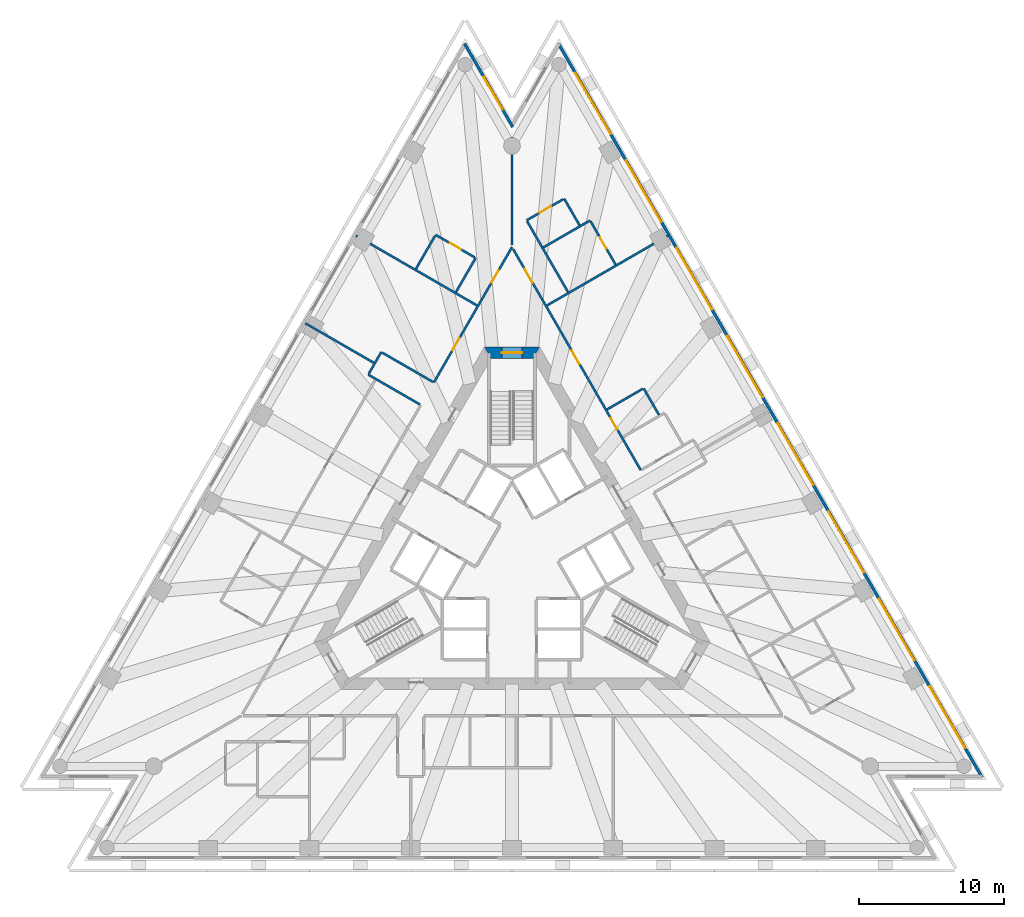
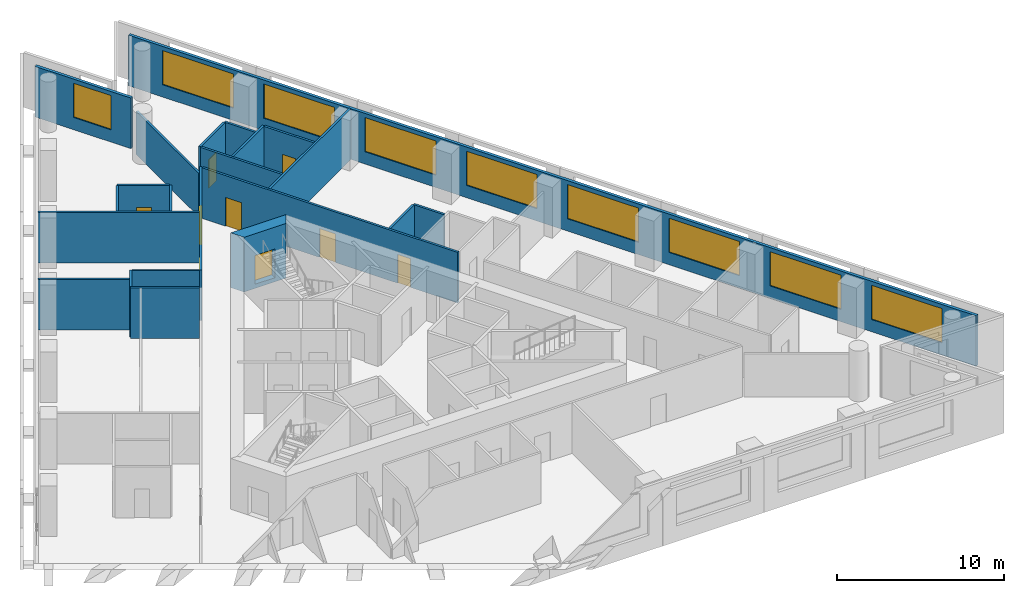
# One storey, part 7 of 10: 22 walls, 9 doors, 9 windows, 18 openings.
"""IFC4 building model written with IfcOpenShell, lengths in metres."""

from ifc_helpers import new_model, si_unit, direction, frame, frame_2d, origin, place, context, subcontext, project, spatial, polyline, rectangle, outline, extrude, material, layer, layer_set, layer_usage, type_object, element, fill, save


model = new_model("IFC4")

# Units and contexts
model_context = context("Model", 3, precision=1e-05, world=origin(), true_north=direction((0.0, 1.0)))
body_context = subcontext(model_context, "Body", "Model", "MODEL_VIEW")
ifc_project = project(units=[si_unit("LENGTHUNIT", "METRE"), si_unit("AREAUNIT", "SQUARE_METRE"), si_unit("VOLUMEUNIT", "CUBIC_METRE"), si_unit("PLANEANGLEUNIT", "RADIAN"), si_unit("MASSUNIT", "GRAM", prefix="KILO")], contexts=[model_context])

# Site, building, storey
site_placement = place(None, origin())
site = spatial("IfcSite", under=ifc_project, at=site_placement, CompositionType="ELEMENT")
building_placement = place(site_placement, origin())
building = spatial("IfcBuilding", under=site, at=building_placement, Name="Triada Interchange Tower", CompositionType="ELEMENT")
storey_placement = place(building_placement, frame((0.0, 0.0, 104.300048828125)))
storey = spatial("IfcBuildingStorey", under=building, at=storey_placement, Name="L23", CompositionType="ELEMENT", Elevation=104.300048828125)

# Wall, opening, door
ifc_material_1 = material(Name="Concrete C60/75", Category="concrete")
ifc_layer_1 = layer(ifc_material_1, 0.800048828125)
ifc_layer_set_1 = layer_set([ifc_layer_1], Name="Core wall B 800")
wall_type_1 = type_object("IfcWallType", Name="Core wall B 800", PredefinedType="SHEAR", material=ifc_layer_set_1)
wall_1_placement = place(storey_placement, frame((1.674072265625, 14.300048828125, -0.300048828125), z_axis=(0.0, 0.0, 1.0), x_axis=(-1.0, 0.0, 0.0)))
wall_1 = element("IfcWall", 1, at=wall_1_placement, inside=storey, type_object=wall_type_1, Name="Core wall WB01 L23", PredefinedType="SHEAR", context=body_context, shape_type="SweptSolid", body=[
    extrude(outline(polyline([(-0.23095703125, -0.39990234375), (1.674072265625, -0.39990234375), (3.5791015625, -0.39990234375), (3.116943359375, 0.39990234375), (1.673828125, 0.39990234375), (0.23095703125, 0.39990234375), (-0.23095703125, -0.39990234375)])), origin(), (0.0, 0.0, 1.0), 4.0),
])
opening_1_placement = place(wall_1_placement, frame((0.97412109375, 0.0, 0.300048828125)))
opening_1 = element("IfcOpeningElement", 2, at=opening_1_placement, cuts=wall_1, Name="Opening D23-43", PredefinedType="OPENING", context=body_context, shape_type="SweptSolid", body=[
    extrude(rectangle(XDim=1.39990234375, YDim=2.10009765625, at=frame_2d((0.699951171875, 1.050048828125))), frame((0.0, 0.409912109375, 0.0), z_axis=(0.0, -1.0, 0.0), x_axis=(1.0, 0.0, 0.0)), (0.0, 0.0, 1.0), 0.820068359375),
])
ifc_material_2 = material(Name="Steel S235 door leaf", Category="steel")
door_type_1 = type_object("IfcDoorType", Name="STAIR DOOR 1400 EI2 90-C5S200", OperationType="DOUBLE_DOOR_SINGLE_SWING", PredefinedType="DOOR", material=ifc_material_2)
door_1_placement = place(opening_1_placement, origin())
door_1 = element("IfcDoor", 3, at=door_1_placement, inside=storey, type_object=door_type_1, Name="Door D23-43 L23", OperationType="DOUBLE_DOOR_SINGLE_SWING", OverallHeight=2.10009765625, OverallWidth=1.39990234375, PredefinedType="DOOR", context=body_context, shape_type="SweptSolid", body=[
    extrude(rectangle(XDim=1.39990234375, YDim=2.10009765625, at=frame_2d((0.699951171875, 1.050048828125))), frame((0.0, 0.02490234375, 0.0), z_axis=(0.0, -1.0, 0.0), x_axis=(1.0, 0.0, 0.0)), (0.0, 0.0, 1.0), 0.050048828125),
])
fill(opening_1, door_1)

# Wall, openings, windows
ifc_material_3 = material(Name="Cement board")
ifc_layer_2 = layer(ifc_material_3, 0.02001953125, Name="Cement board cladding")
ifc_material_4 = material(Name="Sheathing board")
ifc_layer_3 = layer(ifc_material_4, 0.014892578125, Name="Sheathing board")
ifc_material_5 = material(Name="Mineral wool")
ifc_layer_4 = layer(ifc_material_5, 0.14990234375, Name="Mineral wool between steel studs")
ifc_material_6 = material(Name="Gypsum board")
ifc_layer_5 = layer(ifc_material_6, 0.014892578125, Name="Plasterboard lining")
ifc_layer_set_2 = layer_set([ifc_layer_2, ifc_layer_3, ifc_layer_4, ifc_layer_5], Name="External wall 200")
ifc_layer_usage = layer_usage(ifc_layer_set_2, "AXIS2", "POSITIVE", -0.10009765625)
wall_type_2 = type_object("IfcWallType", Name="External wall 200", PredefinedType="ELEMENTEDWALL", material=ifc_layer_set_2)
wall_2_placement = place(storey_placement, frame((32.510009765625, -15.073974609375, 0.0), z_axis=(0.0, 0.0, 1.0), x_axis=(-0.500008323105, 0.866020598384, 0.0)))
wall_2 = element("IfcWall", 4, at=wall_2_placement, inside=storey, type_object=wall_type_2, material=ifc_layer_usage, Name="External wall L23 NE", PredefinedType="ELEMENTEDWALL", context=body_context, shape_type="SweptSolid", body=[
    extrude(rectangle(XDim=58.59912109375, YDim=0.199951171875, at=frame_2d((29.299560546875, 0.0))), origin(), (0.0, 0.0, 1.0), 3.699951171875),
])
opening_2_placement = place(wall_2_placement, frame((2.35400390625, 0.0, 0.89990234375)))
opening_2 = element("IfcOpeningElement", 5, at=opening_2_placement, cuts=wall_2, Name="Opening WB21", PredefinedType="OPENING", context=body_context, shape_type="SweptSolid", body=[
    extrude(rectangle(XDim=4.89990234375, YDim=2.5, at=frame_2d((2.449951171875, 1.25))), frame((0.0, 0.10986328125, 0.0), z_axis=(0.0, -1.0, 0.0), x_axis=(1.0, 0.0, 0.0)), (0.0, 0.0, 1.0), 0.219970703125),
])
opening_3_placement = place(wall_2_placement, frame((9.35498046875, 0.0, 0.89990234375)))
opening_3 = element("IfcOpeningElement", 6, at=opening_3_placement, cuts=wall_2, Name="Opening WB22", PredefinedType="OPENING", context=body_context, shape_type="SweptSolid", body=[
    extrude(rectangle(XDim=4.89990234375, YDim=2.5, at=frame_2d((2.449951171875, 1.25))), frame((0.0, 0.10986328125, 0.0), z_axis=(0.0, -1.0, 0.0), x_axis=(1.0, 0.0, 0.0)), (0.0, 0.0, 1.0), 0.219970703125),
])
opening_4_placement = place(wall_2_placement, frame((16.35693359375, 0.0, 0.89990234375)))
opening_4 = element("IfcOpeningElement", 7, at=opening_4_placement, cuts=wall_2, Name="Opening WB23", PredefinedType="OPENING", context=body_context, shape_type="SweptSolid", body=[
    extrude(rectangle(XDim=4.89990234375, YDim=2.5, at=frame_2d((2.449951171875, 1.25))), frame((0.0, 0.10986328125, 0.0), z_axis=(0.0, -1.0, 0.0), x_axis=(1.0, 0.0, 0.0)), (0.0, 0.0, 1.0), 0.219970703125),
])
opening_5_placement = place(wall_2_placement, frame((23.35888671875, 0.0, 0.89990234375)))
opening_5 = element("IfcOpeningElement", 8, at=opening_5_placement, cuts=wall_2, Name="Opening WB24", PredefinedType="OPENING", context=body_context, shape_type="SweptSolid", body=[
    extrude(rectangle(XDim=4.89990234375, YDim=2.5, at=frame_2d((2.449951171875, 1.25))), frame((0.0, 0.10986328125, 0.0), z_axis=(0.0, -1.0, 0.0), x_axis=(1.0, 0.0, 0.0)), (0.0, 0.0, 1.0), 0.219970703125),
])
opening_6_placement = place(wall_2_placement, frame((30.360107421875, 0.0, 0.89990234375)))
opening_6 = element("IfcOpeningElement", 9, at=opening_6_placement, cuts=wall_2, Name="Opening WB25", PredefinedType="OPENING", context=body_context, shape_type="SweptSolid", body=[
    extrude(rectangle(XDim=4.89990234375, YDim=2.5, at=frame_2d((2.449951171875, 1.25))), frame((0.0, 0.10986328125, 0.0), z_axis=(0.0, -1.0, 0.0), x_axis=(1.0, 0.0, 0.0)), (0.0, 0.0, 1.0), 0.219970703125),
])
opening_7_placement = place(wall_2_placement, frame((37.362060546875, 0.0, 0.89990234375)))
opening_7 = element("IfcOpeningElement", 10, at=opening_7_placement, cuts=wall_2, Name="Opening WB26", PredefinedType="OPENING", context=body_context, shape_type="SweptSolid", body=[
    extrude(rectangle(XDim=4.89990234375, YDim=2.5, at=frame_2d((2.449951171875, 1.25))), frame((0.0, 0.10986328125, 0.0), z_axis=(0.0, -1.0, 0.0), x_axis=(1.0, 0.0, 0.0)), (0.0, 0.0, 1.0), 0.219970703125),
])
opening_8_placement = place(wall_2_placement, frame((44.364013671875, 0.0, 0.89990234375)))
opening_8 = element("IfcOpeningElement", 11, at=opening_8_placement, cuts=wall_2, Name="Opening WB27", PredefinedType="OPENING", context=body_context, shape_type="SweptSolid", body=[
    extrude(rectangle(XDim=4.89990234375, YDim=2.5, at=frame_2d((2.449951171875, 1.25))), frame((0.0, 0.10986328125, 0.0), z_axis=(0.0, -1.0, 0.0), x_axis=(1.0, 0.0, 0.0)), (0.0, 0.0, 1.0), 0.219970703125),
])
opening_9_placement = place(wall_2_placement, frame((51.364990234375, 0.0, 0.89990234375)))
opening_9 = element("IfcOpeningElement", 12, at=opening_9_placement, cuts=wall_2, Name="Opening WB28", PredefinedType="OPENING", context=body_context, shape_type="SweptSolid", body=[
    extrude(rectangle(XDim=4.89990234375, YDim=2.5, at=frame_2d((2.449951171875, 1.25))), frame((0.0, 0.10986328125, 0.0), z_axis=(0.0, -1.0, 0.0), x_axis=(1.0, 0.0, 0.0)), (0.0, 0.0, 1.0), 0.219970703125),
])
ifc_material_7 = material(Name="Double glazed aluminium window", Category="aluminium")
window_type_1 = type_object("IfcWindowType", Name="Ribbon window B face", PartitioningType="SINGLE_PANEL", PredefinedType="WINDOW", material=ifc_material_7)
window_1_placement = place(opening_2_placement, origin())
window_1 = element("IfcWindow", 13, at=window_1_placement, inside=storey, type_object=window_type_1, Name="Window L23 NE 1", OverallHeight=2.5, OverallWidth=4.89990234375, PartitioningType="SINGLE_PANEL", PredefinedType="WINDOW", context=body_context, shape_type="SweptSolid", body=[
    extrude(rectangle(XDim=4.89990234375, YDim=2.5, at=frame_2d((2.449951171875, 1.25))), frame((0.0, 0.030029296875, 0.0), z_axis=(0.0, -1.0, 0.0), x_axis=(1.0, 0.0, 0.0)), (0.0, 0.0, 1.0), 0.06005859375),
])
fill(opening_2, window_1)
window_2_placement = place(opening_3_placement, origin())
window_2 = element("IfcWindow", 14, at=window_2_placement, inside=storey, type_object=window_type_1, Name="Window L23 NE 2", OverallHeight=2.5, OverallWidth=4.89990234375, PartitioningType="SINGLE_PANEL", PredefinedType="WINDOW", context=body_context, shape_type="SweptSolid", body=[
    extrude(rectangle(XDim=4.89990234375, YDim=2.5, at=frame_2d((2.449951171875, 1.25))), frame((0.0, 0.030029296875, 0.0), z_axis=(0.0, -1.0, 0.0), x_axis=(1.0, 0.0, 0.0)), (0.0, 0.0, 1.0), 0.06005859375),
])
fill(opening_3, window_2)
window_3_placement = place(opening_4_placement, origin())
window_3 = element("IfcWindow", 15, at=window_3_placement, inside=storey, type_object=window_type_1, Name="Window L23 NE 3", OverallHeight=2.5, OverallWidth=4.89990234375, PartitioningType="SINGLE_PANEL", PredefinedType="WINDOW", context=body_context, shape_type="SweptSolid", body=[
    extrude(rectangle(XDim=4.89990234375, YDim=2.5, at=frame_2d((2.449951171875, 1.25))), frame((0.0, 0.030029296875, 0.0), z_axis=(0.0, -1.0, 0.0), x_axis=(1.0, 0.0, 0.0)), (0.0, 0.0, 1.0), 0.06005859375),
])
fill(opening_4, window_3)
window_4_placement = place(opening_5_placement, origin())
window_4 = element("IfcWindow", 16, at=window_4_placement, inside=storey, type_object=window_type_1, Name="Window L23 NE 4", OverallHeight=2.5, OverallWidth=4.89990234375, PartitioningType="SINGLE_PANEL", PredefinedType="WINDOW", context=body_context, shape_type="SweptSolid", body=[
    extrude(rectangle(XDim=4.89990234375, YDim=2.5, at=frame_2d((2.449951171875, 1.25))), frame((0.0, 0.030029296875, 0.0), z_axis=(0.0, -1.0, 0.0), x_axis=(1.0, 0.0, 0.0)), (0.0, 0.0, 1.0), 0.06005859375),
])
fill(opening_5, window_4)
window_5_placement = place(opening_6_placement, origin())
window_5 = element("IfcWindow", 17, at=window_5_placement, inside=storey, type_object=window_type_1, Name="Window L23 NE 5", OverallHeight=2.5, OverallWidth=4.89990234375, PartitioningType="SINGLE_PANEL", PredefinedType="WINDOW", context=body_context, shape_type="SweptSolid", body=[
    extrude(rectangle(XDim=4.89990234375, YDim=2.5, at=frame_2d((2.449951171875, 1.25))), frame((0.0, 0.030029296875, 0.0), z_axis=(0.0, -1.0, 0.0), x_axis=(1.0, 0.0, 0.0)), (0.0, 0.0, 1.0), 0.06005859375),
])
fill(opening_6, window_5)
window_6_placement = place(opening_7_placement, origin())
window_6 = element("IfcWindow", 18, at=window_6_placement, inside=storey, type_object=window_type_1, Name="Window L23 NE 6", OverallHeight=2.5, OverallWidth=4.89990234375, PartitioningType="SINGLE_PANEL", PredefinedType="WINDOW", context=body_context, shape_type="SweptSolid", body=[
    extrude(rectangle(XDim=4.89990234375, YDim=2.5, at=frame_2d((2.449951171875, 1.25))), frame((0.0, 0.030029296875, 0.0), z_axis=(0.0, -1.0, 0.0), x_axis=(1.0, 0.0, 0.0)), (0.0, 0.0, 1.0), 0.06005859375),
])
fill(opening_7, window_6)
window_7_placement = place(opening_8_placement, origin())
window_7 = element("IfcWindow", 19, at=window_7_placement, inside=storey, type_object=window_type_1, Name="Window L23 NE 7", OverallHeight=2.5, OverallWidth=4.89990234375, PartitioningType="SINGLE_PANEL", PredefinedType="WINDOW", context=body_context, shape_type="SweptSolid", body=[
    extrude(rectangle(XDim=4.89990234375, YDim=2.5, at=frame_2d((2.449951171875, 1.25))), frame((0.0, 0.030029296875, 0.0), z_axis=(0.0, -1.0, 0.0), x_axis=(1.0, 0.0, 0.0)), (0.0, 0.0, 1.0), 0.06005859375),
])
fill(opening_8, window_7)
window_8_placement = place(opening_9_placement, origin())
window_8 = element("IfcWindow", 20, at=window_8_placement, inside=storey, type_object=window_type_1, Name="Window L23 NE 8", OverallHeight=2.5, OverallWidth=4.89990234375, PartitioningType="SINGLE_PANEL", PredefinedType="WINDOW", context=body_context, shape_type="SweptSolid", body=[
    extrude(rectangle(XDim=4.89990234375, YDim=2.5, at=frame_2d((2.449951171875, 1.25))), frame((0.0, 0.030029296875, 0.0), z_axis=(0.0, -1.0, 0.0), x_axis=(1.0, 0.0, 0.0)), (0.0, 0.0, 1.0), 0.06005859375),
])
fill(opening_9, window_8)

# Wall, opening, window
wall_3_placement = place(storey_placement, frame((0.044921875, 29.9150390625, 0.0), z_axis=(0.0, 0.0, 1.0), x_axis=(-0.49999681972, 0.866027239912, 0.0)))
wall_3 = element("IfcWall", 21, at=wall_3_placement, inside=storey, type_object=wall_type_2, material=ifc_layer_usage, Name="External wall L23 N-2", PredefinedType="ELEMENTEDWALL", context=body_context, shape_type="SweptSolid", body=[
    extrude(rectangle(XDim=6.64990234375, YDim=0.199951171875, at=frame_2d((3.324951171875, 0.0))), origin(), (0.0, 0.0, 1.0), 3.699951171875),
])
opening_10_placement = place(wall_3_placement, frame((1.389892578125, 0.0, 0.89990234375)))
opening_10 = element("IfcOpeningElement", 22, at=opening_10_placement, cuts=wall_3, Name="Opening WB30", PredefinedType="OPENING", context=body_context, shape_type="SweptSolid", body=[
    extrude(rectangle(XDim=2.60009765625, YDim=2.5, at=frame_2d((1.300048828125, 1.25))), frame((0.0, 0.10986328125, 0.0), z_axis=(0.0, -1.0, 0.0), x_axis=(1.0, 0.0, 0.0)), (0.0, 0.0, 1.0), 0.219970703125),
])
window_type_2 = type_object("IfcWindowType", Name="Ribbon window B pocket", PartitioningType="SINGLE_PANEL", PredefinedType="WINDOW", material=ifc_material_7)
window_9_placement = place(opening_10_placement, origin())
window_9 = element("IfcWindow", 23, at=window_9_placement, inside=storey, type_object=window_type_2, Name="Window L23 N-2 1", OverallHeight=2.5, OverallWidth=2.60009765625, PartitioningType="SINGLE_PANEL", PredefinedType="WINDOW", context=body_context, shape_type="SweptSolid", body=[
    extrude(rectangle(XDim=2.60009765625, YDim=2.5, at=frame_2d((1.300048828125, 1.25))), frame((0.0, 0.030029296875, 0.0), z_axis=(0.0, -1.0, 0.0), x_axis=(1.0, 0.0, 0.0)), (0.0, 0.0, 1.0), 0.06005859375),
])
fill(opening_10, window_9)

# Wall, openings, doors
ifc_material_8 = material(Name="Gypsum board partition")
ifc_layer_6 = layer(ifc_material_8, 0.14990234375)
ifc_layer_set_3 = layer_set([ifc_layer_6], Name="PARTITION 150 EI 180")
wall_type_3 = type_object("IfcWallType", Name="PARTITION 150 EI 180", PredefinedType="PARTITIONING", material=ifc_layer_set_3)
wall_4_placement = place(storey_placement, frame((-5.402099609375, 12.243896484375, 0.0), z_axis=(0.0, 0.0, 1.0), x_axis=(0.500020433321, 0.86601360628, 0.0)))
wall_4 = element("IfcWall", 24, at=wall_4_placement, inside=storey, type_object=wall_type_3, Name="Wall L23 7", PredefinedType="PARTITIONING", context=body_context, shape_type="SweptSolid", body=[
    extrude(rectangle(XDim=10.8037109375, YDim=0.14990234375, at=frame_2d((5.40185546875, 0.0))), origin(), (0.0, 0.0, 1.0), 3.699951171875),
])
opening_11_placement = place(wall_4_placement, frame((7.9541015625, 0.0, 0.0)))
opening_11 = element("IfcOpeningElement", 25, at=opening_11_placement, cuts=wall_4, Name="Opening D23-34", PredefinedType="OPENING", context=body_context, shape_type="SweptSolid", body=[
    extrude(rectangle(XDim=1.0, YDim=2.10009765625, at=frame_2d((0.5, 1.050048828125))), frame((0.0, 0.0849609375, 0.0), z_axis=(0.0, -1.0, 0.0), x_axis=(1.0, 0.0, 0.0)), (0.0, 0.0, 1.0), 0.169921875),
])
opening_12_placement = place(wall_4_placement, frame((2.551025390625, 0.0, 0.0)))
opening_12 = element("IfcOpeningElement", 26, at=opening_12_placement, cuts=wall_4, Name="Opening D23-36", PredefinedType="OPENING", context=body_context, shape_type="SweptSolid", body=[
    extrude(rectangle(XDim=1.0, YDim=2.10009765625, at=frame_2d((0.5, 1.050048828125))), frame((0.0, 0.0849609375, 0.0), z_axis=(0.0, -1.0, 0.0), x_axis=(1.0, 0.0, 0.0)), (0.0, 0.0, 1.0), 0.169921875),
])
door_type_2 = type_object("IfcDoorType", Name="ROOM DOOR 1000 EI2 90-C5S200", OperationType="NOTDEFINED", PredefinedType="DOOR", material=ifc_material_2)
door_2_placement = place(opening_11_placement, origin())
door_2 = element("IfcDoor", 27, at=door_2_placement, inside=storey, type_object=door_type_2, Name="Door D23-34 L23", OperationType="SINGLE_SWING_RIGHT", OverallHeight=2.10009765625, OverallWidth=1.0, PredefinedType="DOOR", context=body_context, shape_type="SweptSolid", body=[
    extrude(rectangle(XDim=1.0, YDim=2.10009765625, at=frame_2d((0.5, 1.050048828125))), frame((0.0, 0.02490234375, 0.0), z_axis=(0.0, -1.0, 0.0), x_axis=(1.0, 0.0, 0.0)), (0.0, 0.0, 1.0), 0.050048828125),
])
fill(opening_11, door_2)
door_3_placement = place(opening_12_placement, origin())
door_3 = element("IfcDoor", 28, at=door_3_placement, inside=storey, type_object=door_type_2, Name="Door D23-36 L23", OperationType="SINGLE_SWING_LEFT", OverallHeight=2.10009765625, OverallWidth=1.0, PredefinedType="DOOR", context=body_context, shape_type="SweptSolid", body=[
    extrude(rectangle(XDim=1.0, YDim=2.10009765625, at=frame_2d((0.5, 1.050048828125))), frame((0.0, 0.02490234375, 0.0), z_axis=(0.0, -1.0, 0.0), x_axis=(1.0, 0.0, 0.0)), (0.0, 0.0, 1.0), 0.050048828125),
])
fill(opening_12, door_3)

# Walls
wall_5_placement = place(storey_placement, frame((-14.284912109375, 16.33203125, 0.0), z_axis=(0.0, 0.0, 1.0), x_axis=(0.86601735395, -0.500013942463, 0.0)))
element("IfcWall", 29, at=wall_5_placement, inside=storey, type_object=wall_type_3, Name="Wall L23 8", PredefinedType="PARTITIONING", context=body_context, shape_type="SweptSolid", body=[
    extrude(rectangle(XDim=5.461669921875, YDim=0.14990234375, at=frame_2d((2.73095703125, 0.0))), origin(), (0.0, 0.0, 1.0), 3.699951171875),
])
wall_6_placement = place(storey_placement, frame((-9.93994140625, 12.783935546875, 0.0), z_axis=(0.0, 0.0, 1.0), x_axis=(0.866056461986, -0.499946201759, 0.0)))
element("IfcWall", 30, at=wall_6_placement, inside=storey, type_object=wall_type_3, Name="Wall L23 12", PredefinedType="PARTITIONING", context=body_context, shape_type="SweptSolid", body=[
    extrude(rectangle(XDim=4.12451171875, YDim=0.14990234375, at=frame_2d((2.062255859375, 0.0))), origin(), (0.0, 0.0, 1.0), 3.699951171875),
])
wall_7_placement = place(storey_placement, frame((-9.902099609375, 12.84912109375, 0.0), z_axis=(0.0, 0.0, 1.0), x_axis=(0.499808228569, 0.866136094765, 0.0)))
element("IfcWall", 31, at=wall_7_placement, inside=storey, type_object=wall_type_3, Name="Wall L23 13", PredefinedType="PARTITIONING", context=body_context, shape_type="SweptSolid", body=[
    extrude(rectangle(XDim=1.724853515625, YDim=0.14990234375, at=frame_2d((0.8623046875, 0.0))), origin(), (0.0, 0.0, 1.0), 3.699951171875),
])
wall_8_placement = place(storey_placement, frame((-10.783935546875, 22.39599609375, 0.0), z_axis=(0.0, 0.0, 1.0), x_axis=(0.86603284879, -0.49998710465, 0.0)))
element("IfcWall", 32, at=wall_8_placement, inside=storey, type_object=wall_type_3, Name="Wall L23 16", PredefinedType="PARTITIONING", context=body_context, shape_type="SweptSolid", body=[
    extrude(rectangle(XDim=9.662353515625, YDim=0.14990234375, at=frame_2d((4.8310546875, 0.0))), origin(), (0.0, 0.0, 1.0), 3.699951171875),
])
wall_9_placement = place(storey_placement, frame((-8.97509765625, 14.304931640625, 0.0), z_axis=(0.0, 0.0, 1.0), x_axis=(0.866120332886, -0.499835541916, 0.0)))
element("IfcWall", 33, at=wall_9_placement, inside=storey, type_object=wall_type_3, Name="Wall L23 17", PredefinedType="PARTITIONING", context=body_context, shape_type="SweptSolid", body=[
    extrude(rectangle(XDim=4.049072265625, YDim=0.14990234375, at=frame_2d((2.0244140625, 0.0))), origin(), (0.0, 0.0, 1.0), 3.699951171875),
])
wall_10_placement = place(storey_placement, frame((0.0, 21.75, 0.0), z_axis=(0.0, 0.0, 1.0), x_axis=(0.0, 1.0, 0.0)))
element("IfcWall", 34, at=wall_10_placement, inside=storey, type_object=wall_type_3, Name="Wall L23 22", PredefinedType="PARTITIONING", context=body_context, shape_type="SweptSolid", body=[
    extrude(rectangle(XDim=7.462890625, YDim=0.14990234375, at=frame_2d((3.7314453125, 0.0))), origin(), (0.0, 0.0, 1.0), 3.14990234375),
])

# Wall, openings, doors
wall_11_placement = place(storey_placement, frame((0.075927734375, 21.468017578125, 0.0), z_axis=(0.0, 0.0, 1.0), x_axis=(0.500024127084, -0.866011473558, 0.0)))
wall_11 = element("IfcWall", 35, at=wall_11_placement, inside=storey, type_object=wall_type_3, Name="Wall L23 23", PredefinedType="PARTITIONING", context=body_context, shape_type="SweptSolid", body=[
    extrude(rectangle(XDim=17.653564453125, YDim=0.14990234375, at=frame_2d((8.82666015625, 0.0))), origin(), (0.0, 0.0, 1.0), 3.699951171875),
])
opening_13_placement = place(wall_11_placement, frame((8.10400390625, 0.0, 0.0)))
opening_13 = element("IfcOpeningElement", 36, at=opening_13_placement, cuts=wall_11, Name="Opening D23-28", PredefinedType="OPENING", context=body_context, shape_type="SweptSolid", body=[
    extrude(rectangle(XDim=1.10009765625, YDim=2.10009765625, at=frame_2d((0.550048828125, 1.050048828125))), frame((0.0, 0.0849609375, 0.0), z_axis=(0.0, -1.0, 0.0), x_axis=(1.0, 0.0, 0.0)), (0.0, 0.0, 1.0), 0.169921875),
])
opening_14_placement = place(wall_11_placement, frame((13.50390625, 0.0, 0.0)))
opening_14 = element("IfcOpeningElement", 37, at=opening_14_placement, cuts=wall_11, Name="Opening D23-30", PredefinedType="OPENING", context=body_context, shape_type="SweptSolid", body=[
    extrude(rectangle(XDim=0.89990234375, YDim=2.10009765625, at=frame_2d((0.449951171875, 1.050048828125))), frame((0.0, 0.0849609375, 0.0), z_axis=(0.0, -1.0, 0.0), x_axis=(1.0, 0.0, 0.0)), (0.0, 0.0, 1.0), 0.169921875),
])
opening_15_placement = place(wall_11_placement, frame((1.60009765625, 0.0, 0.0)))
opening_15 = element("IfcOpeningElement", 38, at=opening_15_placement, cuts=wall_11, Name="Opening D23-31", PredefinedType="OPENING", context=body_context, shape_type="SweptSolid", body=[
    extrude(rectangle(XDim=1.10009765625, YDim=2.10009765625, at=frame_2d((0.550048828125, 1.050048828125))), frame((0.0, 0.0849609375, 0.0), z_axis=(0.0, -1.0, 0.0), x_axis=(1.0, 0.0, 0.0)), (0.0, 0.0, 1.0), 0.169921875),
])
door_type_3 = type_object("IfcDoorType", Name="SERVICE DOOR 900 EI2 90-C5S200", OperationType="NOTDEFINED", PredefinedType="DOOR", material=ifc_material_2)
door_4_placement = place(opening_14_placement, origin())
door_4 = element("IfcDoor", 39, at=door_4_placement, inside=storey, type_object=door_type_3, Name="Door D23-30 L23", OperationType="SINGLE_SWING_RIGHT", OverallHeight=2.10009765625, OverallWidth=0.89990234375, PredefinedType="DOOR", context=body_context, shape_type="SweptSolid", body=[
    extrude(rectangle(XDim=0.89990234375, YDim=2.10009765625, at=frame_2d((0.449951171875, 1.050048828125))), frame((0.0, 0.02490234375, 0.0), z_axis=(0.0, -1.0, 0.0), x_axis=(1.0, 0.0, 0.0)), (0.0, 0.0, 1.0), 0.050048828125),
])
fill(opening_14, door_4)
door_type_4 = type_object("IfcDoorType", Name="TENANCY ENTRANCE DOOR 1100 EI2 90-C5S200", OperationType="NOTDEFINED", PredefinedType="DOOR", material=ifc_material_2)
door_5_placement = place(opening_13_placement, origin())
door_5 = element("IfcDoor", 40, at=door_5_placement, inside=storey, type_object=door_type_4, Name="Door D23-28 L23", OperationType="SINGLE_SWING_RIGHT", OverallHeight=2.10009765625, OverallWidth=1.10009765625, PredefinedType="DOOR", context=body_context, shape_type="SweptSolid", body=[
    extrude(rectangle(XDim=1.10009765625, YDim=2.10009765625, at=frame_2d((0.550048828125, 1.050048828125))), frame((0.0, 0.02490234375, 0.0), z_axis=(0.0, -1.0, 0.0), x_axis=(1.0, 0.0, 0.0)), (0.0, 0.0, 1.0), 0.050048828125),
])
fill(opening_13, door_5)
door_6_placement = place(opening_15_placement, origin())
door_6 = element("IfcDoor", 41, at=door_6_placement, inside=storey, type_object=door_type_4, Name="Door D23-31 L23", OperationType="SINGLE_SWING_LEFT", OverallHeight=2.10009765625, OverallWidth=1.10009765625, PredefinedType="DOOR", context=body_context, shape_type="SweptSolid", body=[
    extrude(rectangle(XDim=1.10009765625, YDim=2.10009765625, at=frame_2d((0.550048828125, 1.050048828125))), frame((0.0, 0.02490234375, 0.0), z_axis=(0.0, -1.0, 0.0), x_axis=(1.0, 0.0, 0.0)), (0.0, 0.0, 1.0), 0.050048828125),
])
fill(opening_15, door_6)

# Walls
wall_12_placement = place(storey_placement, frame((2.416015625, 17.56494140625, 0.0), z_axis=(0.0, 0.0, 1.0), x_axis=(0.86603284879, 0.49998710465, 0.0)))
element("IfcWall", 42, at=wall_12_placement, inside=storey, type_object=wall_type_3, Name="Wall L23 27", PredefinedType="PARTITIONING", context=body_context, shape_type="SweptSolid", body=[
    extrude(rectangle(XDim=9.662353515625, YDim=0.14990234375, at=frame_2d((4.8310546875, 0.0))), origin(), (0.0, 0.0, 1.0), 3.699951171875),
])
wall_13_placement = place(storey_placement, frame((9.10107421875, 11.8359375, 0.0), z_axis=(0.0, 0.0, 1.0), x_axis=(0.500266112279, -0.865871709265, 0.0)))
element("IfcWall", 43, at=wall_13_placement, inside=storey, type_object=wall_type_3, Name="Wall L23 28", PredefinedType="PARTITIONING", context=body_context, shape_type="SweptSolid", body=[
    extrude(rectangle(XDim=2.124755859375, YDim=0.14990234375, at=frame_2d((1.0625, 0.0))), origin(), (0.0, 0.0, 1.0), 3.699951171875),
])
wall_14_placement = place(storey_placement, frame((6.568115234375, 10.3740234375, 0.0), z_axis=(0.0, 0.0, 1.0), x_axis=(0.865982980443, 0.500073472185, 0.0)))
element("IfcWall", 44, at=wall_14_placement, inside=storey, type_object=wall_type_3, Name="Wall L23 29", PredefinedType="PARTITIONING", context=body_context, shape_type="SweptSolid", body=[
    extrude(rectangle(XDim=2.849609375, YDim=0.14990234375, at=frame_2d((1.4248046875, 0.0))), origin(), (0.0, 0.0, 1.0), 3.699951171875),
])
ifc_layer_7 = layer(ifc_material_8, 0.14990234375)
ifc_layer_set_4 = layer_set([ifc_layer_7], Name="PARTITION 150 EI 90")
wall_type_4 = type_object("IfcWallType", Name="PARTITION 150 EI 90", PredefinedType="PARTITIONING", material=ifc_layer_set_4)
wall_15_placement = place(storey_placement, frame((-3.873046875, 18.491943359375, 0.0), z_axis=(0.0, 0.0, 1.0), x_axis=(0.500117899823, 0.865957323588, 0.0)))
element("IfcWall", 45, at=wall_15_placement, inside=storey, type_object=wall_type_4, Name="Wall L23 45", PredefinedType="PARTITIONING", context=body_context, shape_type="SweptSolid", body=[
    extrude(rectangle(XDim=2.725341796875, YDim=0.14990234375, at=frame_2d((1.36279296875, 0.0))), origin(), (0.0, 0.0, 1.0), 3.699951171875),
])

# Wall, opening, door
wall_16_placement = place(storey_placement, frame((-5.281005859375, 22.451904296875, 0.0), z_axis=(0.0, 0.0, 1.0), x_axis=(0.866071089505, -0.499920861661, 0.0)))
wall_16 = element("IfcWall", 46, at=wall_16_placement, inside=storey, type_object=wall_type_4, Name="Wall L23 53", PredefinedType="PARTITIONING", context=body_context, shape_type="SweptSolid", body=[
    extrude(rectangle(XDim=3.12451171875, YDim=0.14990234375, at=frame_2d((1.562255859375, 0.0))), origin(), (0.0, 0.0, 1.0), 3.699951171875),
])
opening_16_placement = place(wall_16_placement, frame((1.14892578125, 0.0, 0.0)))
opening_16 = element("IfcOpeningElement", 47, at=opening_16_placement, cuts=wall_16, Name="Opening D23-35", PredefinedType="OPENING", context=body_context, shape_type="SweptSolid", body=[
    extrude(rectangle(XDim=0.89990234375, YDim=2.10009765625, at=frame_2d((0.449951171875, 1.050048828125))), frame((0.0, 0.0849609375, 0.0), z_axis=(0.0, -1.0, 0.0), x_axis=(1.0, 0.0, 0.0)), (0.0, 0.0, 1.0), 0.169921875),
])
door_type_5 = type_object("IfcDoorType", Name="ROOM DOOR 900 EI2 45-C5S200", OperationType="NOTDEFINED", PredefinedType="DOOR", material=ifc_material_2)
door_7_placement = place(opening_16_placement, origin())
door_7 = element("IfcDoor", 48, at=door_7_placement, inside=storey, type_object=door_type_5, Name="Door D23-35 L23", OperationType="SINGLE_SWING_LEFT", OverallHeight=2.10009765625, OverallWidth=0.89990234375, PredefinedType="DOOR", context=body_context, shape_type="SweptSolid", body=[
    extrude(rectangle(XDim=0.89990234375, YDim=2.10009765625, at=frame_2d((0.449951171875, 1.050048828125))), frame((0.0, 0.02490234375, 0.0), z_axis=(0.0, -1.0, 0.0), x_axis=(1.0, 0.0, 0.0)), (0.0, 0.0, 1.0), 0.050048828125),
])
fill(opening_16, door_7)

# Walls
wall_17_placement = place(storey_placement, frame((-6.64404296875, 20.092041015625, 0.0), z_axis=(0.0, 0.0, 1.0), x_axis=(0.499993606316, 0.866029095148, 0.0)))
element("IfcWall", 49, at=wall_17_placement, inside=storey, type_object=wall_type_4, Name="Wall L23 54", PredefinedType="PARTITIONING", context=body_context, shape_type="SweptSolid", body=[
    extrude(rectangle(XDim=2.64990234375, YDim=0.14990234375, at=frame_2d((1.324951171875, 0.0))), origin(), (0.0, 0.0, 1.0), 3.699951171875),
])
wall_18_placement = place(storey_placement, frame((2.175048828125, 21.5830078125, 0.0), z_axis=(0.0, 0.0, 1.0), x_axis=(0.866068800491, 0.499924827166, 0.0)))
element("IfcWall", 50, at=wall_18_placement, inside=storey, type_object=wall_type_4, Name="Wall L23 55", PredefinedType="PARTITIONING", context=body_context, shape_type="SweptSolid", body=[
    extrude(rectangle(XDim=3.724609375, YDim=0.14990234375, at=frame_2d((1.8623046875, 0.0))), origin(), (0.0, 0.0, 1.0), 3.699951171875),
])
wall_19_placement = place(storey_placement, frame((3.60791015625, 24.949951171875, 0.0), z_axis=(0.0, 0.0, 1.0), x_axis=(0.500266112279, -0.865871709265, 0.0)))
element("IfcWall", 51, at=wall_19_placement, inside=storey, type_object=wall_type_4, Name="Wall L23 56", PredefinedType="PARTITIONING", context=body_context, shape_type="SweptSolid", body=[
    extrude(rectangle(XDim=2.124755859375, YDim=0.14990234375, at=frame_2d((1.0625, 0.0))), origin(), (0.0, 0.0, 1.0), 3.699951171875),
])

# Wall, opening, door
wall_20_placement = place(storey_placement, frame((1.010009765625, 23.449951171875, 0.0), z_axis=(0.0, 0.0, 1.0), x_axis=(0.865917290158, 0.500187211558, 0.0)))
wall_20 = element("IfcWall", 52, at=wall_20_placement, inside=storey, type_object=wall_type_4, Name="Wall L23 57", PredefinedType="PARTITIONING", context=body_context, shape_type="SweptSolid", body=[
    extrude(rectangle(XDim=2.92529296875, YDim=0.14990234375, at=frame_2d((1.462646484375, 0.0))), origin(), (0.0, 0.0, 1.0), 3.699951171875),
])
opening_17_placement = place(wall_20_placement, frame((1.050048828125, 0.0, 0.0)))
opening_17 = element("IfcOpeningElement", 53, at=opening_17_placement, cuts=wall_20, Name="Opening D23-33", PredefinedType="OPENING", context=body_context, shape_type="SweptSolid", body=[
    extrude(rectangle(XDim=0.89990234375, YDim=2.10009765625, at=frame_2d((0.449951171875, 1.050048828125))), frame((0.0, 0.0849609375, 0.0), z_axis=(0.0, -1.0, 0.0), x_axis=(1.0, 0.0, 0.0)), (0.0, 0.0, 1.0), 0.169921875),
])
door_type_6 = type_object("IfcDoorType", Name="SERVICE DOOR 900 EI2 45-C5S200", OperationType="NOTDEFINED", PredefinedType="DOOR", material=ifc_material_2)
door_8_placement = place(opening_17_placement, origin())
door_8 = element("IfcDoor", 54, at=door_8_placement, inside=storey, type_object=door_type_6, Name="Door D23-33 L23", OperationType="SINGLE_SWING_RIGHT", OverallHeight=2.10009765625, OverallWidth=0.89990234375, PredefinedType="DOOR", context=body_context, shape_type="SweptSolid", body=[
    extrude(rectangle(XDim=0.89990234375, YDim=2.10009765625, at=frame_2d((0.449951171875, 1.050048828125))), frame((0.0, 0.02490234375, 0.0), z_axis=(0.0, -1.0, 0.0), x_axis=(1.0, 0.0, 0.0)), (0.0, 0.0, 1.0), 0.050048828125),
])
fill(opening_17, door_8)

# Wall
wall_21_placement = place(storey_placement, frame((1.048095703125, 23.385009765625, 0.0), z_axis=(0.0, 0.0, 1.0), x_axis=(0.499991765245, -0.86603015807, 0.0)))
element("IfcWall", 55, at=wall_21_placement, inside=storey, type_object=wall_type_4, Name="Wall L23 58", PredefinedType="PARTITIONING", context=body_context, shape_type="SweptSolid", body=[
    extrude(rectangle(XDim=5.64990234375, YDim=0.14990234375, at=frame_2d((2.824951171875, 0.0))), origin(), (0.0, 0.0, 1.0), 3.699951171875),
])

# Wall, opening, door
wall_22_placement = place(storey_placement, frame((5.43896484375, 23.3798828125, 0.0), z_axis=(0.0, 0.0, 1.0), x_axis=(0.500020560727, -0.866013532718, 0.0)))
wall_22 = element("IfcWall", 56, at=wall_22_placement, inside=storey, type_object=wall_type_4, Name="Wall L23 60", PredefinedType="PARTITIONING", context=body_context, shape_type="SweptSolid", body=[
    extrude(rectangle(XDim=3.449951171875, YDim=0.14990234375, at=frame_2d((1.72509765625, 0.0))), origin(), (0.0, 0.0, 1.0), 3.699951171875),
])
opening_18_placement = place(wall_22_placement, frame((1.27490234375, 0.0, 0.0)))
opening_18 = element("IfcOpeningElement", 57, at=opening_18_placement, cuts=wall_22, Name="Opening D23-32", PredefinedType="OPENING", context=body_context, shape_type="SweptSolid", body=[
    extrude(rectangle(XDim=0.89990234375, YDim=2.10009765625, at=frame_2d((0.449951171875, 1.050048828125))), frame((0.0, 0.0849609375, 0.0), z_axis=(0.0, -1.0, 0.0), x_axis=(1.0, 0.0, 0.0)), (0.0, 0.0, 1.0), 0.169921875),
])
door_9_placement = place(opening_18_placement, origin())
door_9 = element("IfcDoor", 58, at=door_9_placement, inside=storey, type_object=door_type_5, Name="Door D23-32 L23", OperationType="SINGLE_SWING_LEFT", OverallHeight=2.10009765625, OverallWidth=0.89990234375, PredefinedType="DOOR", context=body_context, shape_type="SweptSolid", body=[
    extrude(rectangle(XDim=0.89990234375, YDim=2.10009765625, at=frame_2d((0.449951171875, 1.050048828125))), frame((0.0, 0.02490234375, 0.0), z_axis=(0.0, -1.0, 0.0), x_axis=(1.0, 0.0, 0.0)), (0.0, 0.0, 1.0), 0.050048828125),
])
fill(opening_18, door_9)

save(model, "model.ifc")
